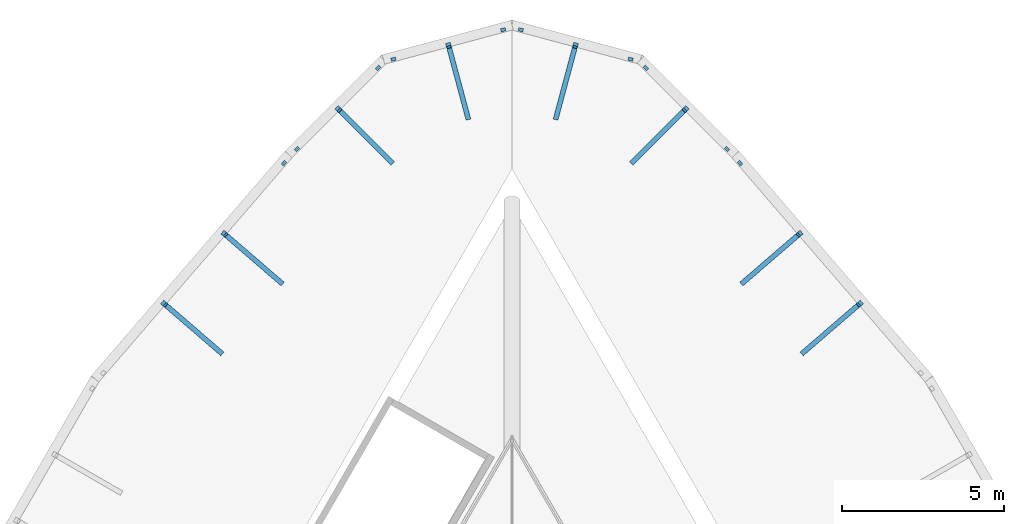
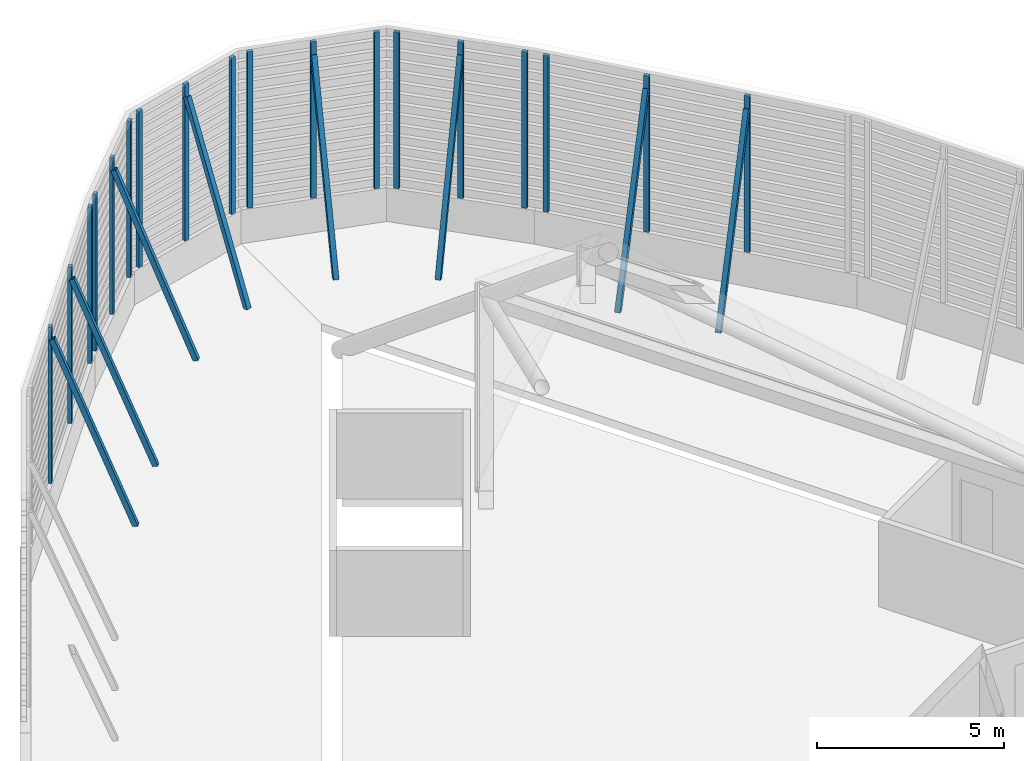
# One storey, part 5 of 6: 26 discrete accessories.
"""IFC4 building model written with IfcOpenShell, lengths in metres."""

import ifcopenshell
import ifcopenshell.guid

model = None  # the IFC model being written
_history = None  # IfcOwnerHistory: only IFC2X3 demands one
_inside = {}  # id of a spatial element -> (the spatial element, [elements in it])
_under = {}  # id of a project, library or spatial element -> (it, [spatial elements below it])
_declared = {}  # id of a project -> (the project, [libraries it declares])
_typed = {}  # id of a type object -> (the type object, [elements of that type])
_made_of = {}  # id of a material, layer set ... -> (it, [elements and type objects made of it])


def new_model(schema):
    """Start an empty IFC model of exactly this schema.

    Asked for "IFC4X3", IfcOpenShell would pick the latest addendum, in which some entities
    have other attributes; the version numbers below select the first issue.
    IFC2X3 requires an IfcOwnerHistory on every rooted entity: one is made here for all.
    """
    global model, _history
    if schema == "IFC4X3":
        model = ifcopenshell.file(schema_version=(4, 3, 0, 0))
    else:
        model = ifcopenshell.file(schema=schema)
    _inside.clear()
    _under.clear()
    _declared.clear()
    _typed.clear()
    _made_of.clear()
    _history = None
    if model.schema == "IFC2X3":
        org = make("IfcOrganization", Name="unknown")
        user = make(
            "IfcPersonAndOrganization",
            ThePerson=make("IfcPerson", FamilyName="unknown"),
            TheOrganization=org,
        )
        app = make(
            "IfcApplication",
            ApplicationDeveloper=org,
            Version="unknown",
            ApplicationFullName="unknown",
            ApplicationIdentifier="unknown",
        )
        _history = make(
            "IfcOwnerHistory",
            OwningUser=user,
            OwningApplication=app,
            ChangeAction="ADDED",
            CreationDate=0,
        )
    return model


def make(cls, **values):
    """One entity of the class cls with the attributes given. An attribute that is None is left unset."""
    return model.create_entity(
        cls, **{name: value for name, value in values.items() if value is not None}
    )


def rooted(cls, **values):
    """An entity with a GlobalId (a new one), such as an element, a storey or a relation."""
    return make(cls, GlobalId=ifcopenshell.guid.new(), OwnerHistory=_history, **values)


def si_unit(unit_type, name, prefix=None):
    """IfcSIUnit, for example si_unit("LENGTHUNIT", "METRE", prefix="MILLI")."""
    return make("IfcSIUnit", UnitType=unit_type, Prefix=prefix, Name=name)


def assignment(units):
    """IfcUnitAssignment: the units of a project."""
    return None if units is None else make("IfcUnitAssignment", Units=units)


def point(xyz):
    """IfcCartesianPoint."""
    return None if xyz is None else make("IfcCartesianPoint", Coordinates=xyz)


def direction(xyz):
    """IfcDirection."""
    return None if xyz is None else make("IfcDirection", DirectionRatios=xyz)


def frame(location, z_axis=None, x_axis=None):
    """IfcAxis2Placement3D, a coordinate frame: its origin and axes. An axis left out is left unset."""
    return make(
        "IfcAxis2Placement3D",
        Location=point(location),
        Axis=direction(z_axis),
        RefDirection=direction(x_axis),
    )


def frame_2d(location, x_axis=None):
    """IfcAxis2Placement2D, a coordinate frame in the plane: its origin and x axis."""
    return make(
        "IfcAxis2Placement2D", Location=point(location), RefDirection=direction(x_axis)
    )


def origin():
    """The frame at (0, 0, 0) with its axes left unset."""
    return frame((0.0, 0.0, 0.0))


def origin_2d():
    """The frame at (0, 0) in the plane with its x axis left unset."""
    return frame_2d((0.0, 0.0))


def place(relative_to, where):
    """IfcLocalPlacement: puts the frame where relative to a parent placement (None: the world)."""
    return make(
        "IfcLocalPlacement", PlacementRelTo=relative_to, RelativePlacement=where
    )


def context(
    kind, dimensions, precision=None, world=None, true_north=None, identifier=None
):
    """IfcGeometricRepresentationContext, for example the 3D "Model" context."""
    return make(
        "IfcGeometricRepresentationContext",
        ContextIdentifier=identifier,
        ContextType=kind,
        CoordinateSpaceDimension=dimensions,
        Precision=precision,
        WorldCoordinateSystem=world,
        TrueNorth=true_north,
    )


def subcontext(parent, identifier, kind, view, scale=None):
    """IfcGeometricRepresentationSubContext, for example "Body" below "Model"."""
    return make(
        "IfcGeometricRepresentationSubContext",
        ContextIdentifier=identifier,
        ContextType=kind,
        ParentContext=parent,
        TargetScale=scale,
        TargetView=view,
    )


def project(units=None, contexts=None):
    """IfcProject with its units and contexts."""
    return rooted(
        "IfcProject",
        Name="project",
        RepresentationContexts=contexts,
        UnitsInContext=assignment(units),
    )


def spatial(cls, under=None, at=None, **own):
    """A site, building, storey or space (cls), placed at a placement, below another one or the project."""
    s = rooted(cls, ObjectPlacement=at, **own)
    if under is not None:
        _under.setdefault(under.id(), (under, []))[1].append(s)
    return s


def profile(cls, at=None, kind="AREA", **sizes):
    """A parametric profile (cls). Its sizes go by their IFC names, for example OverallWidth=200.0."""
    return make(cls, ProfileType=kind, Position=at, **sizes)


def rectangle(**sizes):
    """IfcRectangleProfileDef."""
    return profile("IfcRectangleProfileDef", **sizes)


def hollow_rectangle(**sizes):
    """IfcRectangleHollowProfileDef."""
    return profile("IfcRectangleHollowProfileDef", **sizes)


def extrude(swept, where, along, depth):
    """IfcExtrudedAreaSolid: the profile swept, set in the frame where, extruded along a direction by depth."""
    return make(
        "IfcExtrudedAreaSolid",
        SweptArea=swept,
        Position=where,
        ExtrudedDirection=direction(along),
        Depth=depth,
    )


def shape(context_of_items, identifier, shape_type, items):
    """IfcShapeRepresentation: the items that make up one representation, for example the "Body"."""
    return make(
        "IfcShapeRepresentation",
        ContextOfItems=context_of_items,
        RepresentationIdentifier=identifier,
        RepresentationType=shape_type,
        Items=items,
    )


def material(Name=None, Category=None):
    """IfcMaterial."""
    return make("IfcMaterial", Name=Name, Category=Category)


def material_profile(
    of_material, cross_section, Name=None, Category=None, Priority=None
):
    """IfcMaterialProfile: a cross section and its material."""
    return make(
        "IfcMaterialProfile",
        Name=Name,
        Material=of_material,
        Profile=cross_section,
        Priority=Priority,
        Category=Category,
    )


def profile_set(profiles, Name=None, composite=None):
    """IfcMaterialProfileSet."""
    return make(
        "IfcMaterialProfileSet",
        Name=Name,
        MaterialProfiles=profiles,
        CompositeProfile=composite,
    )


def made_of(thing, what):
    """Note that an element or type object is made of a material, layer set ...; save() writes the relation."""
    if what is not None:
        _made_of.setdefault(what.id(), (what, []))[1].append(thing)
    return thing


def type_object(cls, material=None, **own):
    """A type object (cls), such as IfcWallType, which elements share."""
    return made_of(rooted(cls, **own), material)


def element(
    cls,
    number,
    at=None,
    inside=None,
    cuts=None,
    type_object=None,
    material=None,
    context=None,
    identifier="Body",
    shape_type=None,
    held_by="IfcProductDefinitionShape",
    body=None,
    shapes=None,
    **own,
):
    """One element of the class cls, such as IfcWall. Its Tag is "e" and its number.

    at: its placement. inside: the storey or other place that contains it. cuts: it is an
    opening in that element (IfcRelVoidsElement). A single representation is given by context,
    identifier, shape_type and body (its items); several are given by shapes. held_by: the class
    of the entity that holds the representations. save() writes the other relations.
    """
    e = rooted(cls, Tag="e%d" % number, ObjectPlacement=at, **own)
    if body is not None:
        shapes = [shape(context, identifier, shape_type, body)]
    if shapes is not None:
        e.Representation = make(held_by, Representations=shapes)
    if inside is not None:
        _inside.setdefault(inside.id(), (inside, []))[1].append(e)
    if cuts is not None:
        rooted(
            "IfcRelVoidsElement", RelatingBuildingElement=cuts, RelatedOpeningElement=e
        )
    if type_object is not None:
        _typed.setdefault(type_object.id(), (type_object, []))[1].append(e)
    return made_of(e, material)


def aggregate(whole, parts):
    """IfcRelAggregates: a whole, such as a stair, and the parts it consists of."""
    return rooted("IfcRelAggregates", RelatingObject=whole, RelatedObjects=parts)


def save(model, path):
    """Write the relations noted so far, then the file.

    IfcRelAggregates (storeys below a building ...), IfcRelContainedInSpatialStructure (elements
    in a storey), IfcRelDefinesByType, IfcRelAssociatesMaterial and IfcRelDeclares: one each for
    every whole, place, type object, material and project.
    """
    for whole, parts in _under.values():
        aggregate(whole, parts)
    for where, things in _inside.values():
        rooted(
            "IfcRelContainedInSpatialStructure",
            RelatedElements=things,
            RelatingStructure=where,
        )
    for kind, things in _typed.values():
        rooted("IfcRelDefinesByType", RelatedObjects=things, RelatingType=kind)
    for what, things in _made_of.values():
        rooted("IfcRelAssociatesMaterial", RelatedObjects=things, RelatingMaterial=what)
    for by, libraries in _declared.values():
        rooted("IfcRelDeclares", RelatingContext=by, RelatedDefinitions=libraries)
    model.write(path)


model = new_model("IFC4")

# Units and contexts
model_context = context("Model", 3, precision=1e-05, world=origin(), true_north=direction((0.0, 1.0)))
body_context = subcontext(model_context, "Body", "Model", "MODEL_VIEW")
ifc_project = project(units=[si_unit("LENGTHUNIT", "METRE"), si_unit("AREAUNIT", "SQUARE_METRE"), si_unit("VOLUMEUNIT", "CUBIC_METRE"), si_unit("PLANEANGLEUNIT", "RADIAN"), si_unit("MASSUNIT", "GRAM", prefix="KILO")], contexts=[model_context])

# Site, building, storey
site_placement = place(None, origin())
site = spatial("IfcSite", under=ifc_project, at=site_placement, CompositionType="ELEMENT")
building_placement = place(site_placement, origin())
building = spatial("IfcBuilding", under=site, at=building_placement, Name="Trikona Tower", CompositionType="ELEMENT")
storey_placement = place(building_placement, frame((0.0, 0.0, 303.800048828125)))
storey = spatial("IfcBuildingStorey", under=building, at=storey_placement, Name="RF", CompositionType="ELEMENT", Elevation=303.800048828125)

# Discrete accessories
ifc_material_1 = material(Name="Aluminium extrusion, pale anodised", Category="aluminium")
discrete_accessory_type_1 = type_object("IfcDiscreteAccessoryType", Name="Crown screen rail 150x100", PredefinedType="BRACKET", material=ifc_material_1)
for number, where, z_axis, x_axis, name in (
    (1, (-10.79931640625, 15.462158203125, 1.099853515625), (0.0, 0.0, 1.0), (0.653068478625, 0.757298859253, 0.0), "Crown screen rail 06-2"),
    (2, (-8.940673828125, 17.618896484375, 1.099853515625), (0.0, 0.0, 1.0), (0.653068478625, 0.757298859253, 0.0), "Crown screen rail 06-3"),
):
    element("IfcDiscreteAccessory", number, at=place(storey_placement, frame(where, z_axis=z_axis, x_axis=x_axis)), inside=storey, type_object=discrete_accessory_type_1, Name=name, PredefinedType="BRACKET", context=body_context, shape_type="SweptSolid", body=[
        extrude(rectangle(XDim=0.14990234375, YDim=0.10009765625, at=frame_2d((0.074951171875, 0.0))), origin(), (0.0, 0.0, 1.0), 5.10009765625),
    ])
discrete_accessory_1_placement = place(storey_placement, frame((-7.081787109375, 19.775390625, 1.099853515625), z_axis=(0.0, 0.0, 1.0), x_axis=(0.652263649461, 0.757992171194, 0.0)))
element("IfcDiscreteAccessory", 3, at=discrete_accessory_1_placement, inside=storey, type_object=discrete_accessory_type_1, Name="Crown screen rail 06-4", PredefinedType="BRACKET", context=body_context, shape_type="SweptSolid", body=[
    extrude(rectangle(XDim=0.150146484375, YDim=0.10009765625, at=frame_2d((0.0751953125, 0.0))), origin(), (0.0, 0.0, 1.0), 5.10009765625),
])
for number, where, z_axis, x_axis, name in (
    (4, (-6.681396484375, 20.21484375, 1.099853515625), (0.0, 0.0, 1.0), (0.70792001417, 0.706292611839, 0.0), "Crown screen rail 07-1"),
    (5, (-5.430419921875, 21.4658203125, 1.099853515625), (0.0, 0.0, 1.0), (0.707106781187, 0.707106781187, 0.0), "Crown screen rail 07-2"),
):
    element("IfcDiscreteAccessory", number, at=place(storey_placement, frame(where, z_axis=z_axis, x_axis=x_axis)), inside=storey, type_object=discrete_accessory_type_1, Name=name, PredefinedType="BRACKET", context=body_context, shape_type="SweptSolid", body=[
        extrude(rectangle(XDim=0.14990234375, YDim=0.10009765625, at=frame_2d((0.074951171875, 0.0))), origin(), (0.0, 0.0, 1.0), 5.10009765625),
    ])
for number, where, z_axis, x_axis, name in (
    (6, (-4.1796875, 22.716552734375, 1.099853515625), (0.0, 0.0, 1.0), (0.707106781187, 0.707106781187, 0.0), "Crown screen rail 07-3"),
    (7, (-3.728515625, 23.02197265625, 1.099853515625), (0.0, 0.0, 1.0), (0.965991585088, 0.258573505099, 0.0), "Crown screen rail 08-1"),
    (8, (-2.036376953125, 23.475341796875, 1.099853515625), (0.0, 0.0, 1.0), (0.965991585088, 0.258573505099, 0.0), "Crown screen rail 08-2"),
):
    element("IfcDiscreteAccessory", number, at=place(storey_placement, frame(where, z_axis=z_axis, x_axis=x_axis)), inside=storey, type_object=discrete_accessory_type_1, Name=name, PredefinedType="BRACKET", context=body_context, shape_type="SweptSolid", body=[
        extrude(rectangle(XDim=0.150146484375, YDim=0.10009765625, at=frame_2d((0.0751953125, 0.0))), origin(), (0.0, 0.0, 1.0), 5.10009765625),
    ])
for number, where, z_axis, x_axis, name in (
    (9, (-0.343994140625, 23.9287109375, 1.099853515625), (0.0, 0.0, 1.0), (0.965882596953, 0.258980325321, 0.0), "Crown screen rail 08-3"),
    (10, (0.19921875, 23.967529296875, 1.099853515625), (0.0, 0.0, 1.0), (0.965882596953, -0.258980325321, 0.0), "Crown screen rail 09-1"),
):
    element("IfcDiscreteAccessory", number, at=place(storey_placement, frame(where, z_axis=z_axis, x_axis=x_axis)), inside=storey, type_object=discrete_accessory_type_1, Name=name, PredefinedType="BRACKET", context=body_context, shape_type="SweptSolid", body=[
        extrude(rectangle(XDim=0.14990234375, YDim=0.10009765625, at=frame_2d((0.074951171875, 0.0))), origin(), (0.0, 0.0, 1.0), 5.10009765625),
    ])
for number, where, z_axis, x_axis, name in (
    (11, (1.891357421875, 23.51416015625, 1.099853515625), (0.0, 0.0, 1.0), (0.965991585088, -0.258573505099, 0.0), "Crown screen rail 09-2"),
    (12, (3.58349609375, 23.060791015625, 1.099853515625), (0.0, 0.0, 1.0), (0.965991585088, -0.258573505099, 0.0), "Crown screen rail 09-3"),
    (13, (4.073486328125, 22.82275390625, 1.099853515625), (0.0, 0.0, 1.0), (0.707106781187, -0.707106781187, 0.0), "Crown screen rail 10-1"),
):
    element("IfcDiscreteAccessory", number, at=place(storey_placement, frame(where, z_axis=z_axis, x_axis=x_axis)), inside=storey, type_object=discrete_accessory_type_1, Name=name, PredefinedType="BRACKET", context=body_context, shape_type="SweptSolid", body=[
        extrude(rectangle(XDim=0.150146484375, YDim=0.10009765625, at=frame_2d((0.0751953125, 0.0))), origin(), (0.0, 0.0, 1.0), 5.10009765625),
    ])
for number, where, z_axis, x_axis, name in (
    (14, (5.324462890625, 21.57177734375, 1.099853515625), (0.0, 0.0, 1.0), (0.707106781187, -0.707106781187, 0.0), "Crown screen rail 10-2"),
    (15, (6.5751953125, 20.32080078125, 1.099853515625), (0.0, 0.0, 1.0), (0.70792001417, -0.706292611839, 0.0), "Crown screen rail 10-3"),
):
    element("IfcDiscreteAccessory", number, at=place(storey_placement, frame(where, z_axis=z_axis, x_axis=x_axis)), inside=storey, type_object=discrete_accessory_type_1, Name=name, PredefinedType="BRACKET", context=body_context, shape_type="SweptSolid", body=[
        extrude(rectangle(XDim=0.14990234375, YDim=0.10009765625, at=frame_2d((0.074951171875, 0.0))), origin(), (0.0, 0.0, 1.0), 5.10009765625),
    ])
discrete_accessory_2_placement = place(storey_placement, frame((6.98388671875, 19.88916015625, 1.099853515625), z_axis=(0.0, 0.0, 1.0), x_axis=(0.652263649461, -0.757992171194, 0.0)))
element("IfcDiscreteAccessory", 16, at=discrete_accessory_2_placement, inside=storey, type_object=discrete_accessory_type_1, Name="Crown screen rail 11-1", PredefinedType="BRACKET", context=body_context, shape_type="SweptSolid", body=[
    extrude(rectangle(XDim=0.150146484375, YDim=0.10009765625, at=frame_2d((0.0751953125, 0.0))), origin(), (0.0, 0.0, 1.0), 5.10009765625),
])
for number, where, z_axis, x_axis, name in (
    (17, (8.8427734375, 17.732421875, 1.099853515625), (0.0, 0.0, 1.0), (0.653068478625, -0.757298859253, 0.0), "Crown screen rail 11-2"),
    (18, (10.701416015625, 15.57568359375, 1.099853515625), (0.0, 0.0, 1.0), (0.653068478625, -0.757298859253, 0.0), "Crown screen rail 11-3"),
):
    element("IfcDiscreteAccessory", number, at=place(storey_placement, frame(where, z_axis=z_axis, x_axis=x_axis)), inside=storey, type_object=discrete_accessory_type_1, Name=name, PredefinedType="BRACKET", context=body_context, shape_type="SweptSolid", body=[
        extrude(rectangle(XDim=0.14990234375, YDim=0.10009765625, at=frame_2d((0.074951171875, 0.0))), origin(), (0.0, 0.0, 1.0), 5.10009765625),
    ])
ifc_material_2 = material(Name="Steel ASTM A500 Grade C", Category="steel")
ifc_material_profile = material_profile(ifc_material_2, hollow_rectangle(XDim=0.15234375, YDim=0.15234375, WallThickness=0.0087890625, at=origin_2d()), Name="HSS6X6X3/8")
ifc_profile_set = profile_set([ifc_material_profile], Name="Steel ASTM A500 Grade C")
discrete_accessory_type_2 = type_object("IfcDiscreteAccessoryType", Name="Crown screen stay HSS6x6x3/8", PredefinedType="BRACKET", material=ifc_profile_set)
discrete_accessory_3_placement = place(storey_placement, frame((-8.985595703125, 13.997802734375, 0.0), z_axis=(-0.277085962366, 0.238850998522, 0.930684463159), x_axis=(-0.652914201137, -0.757431875454, 0.0)))
element("IfcDiscreteAccessory", 19, at=discrete_accessory_3_placement, inside=storey, type_object=discrete_accessory_type_2, Name="Crown screen stay 06-2", PredefinedType="BRACKET", context=body_context, shape_type="SweptSolid", body=[
    extrude(hollow_rectangle(XDim=0.15234375, YDim=0.15234375, WallThickness=0.0087890625, at=origin_2d()), origin(), (0.0, 0.0, 1.0), 6.23193359375),
])
for number, where, z_axis, x_axis, name in (
    (20, (-7.126708984375, 16.154296875, 0.0), (-0.277119536048, 0.238885345041, 0.930665651384), (-0.652922677422, -0.757424568725, 0.0), "Crown screen stay 06-3"),
    (21, (-3.72998046875, 19.87109375, 0.0), (-0.258671313716, 0.258710488532, 0.930676116908), (-0.707160319462, -0.707053238857, 0.0), "Crown screen stay 07-2"),
):
    element("IfcDiscreteAccessory", number, at=place(storey_placement, frame(where, z_axis=z_axis, x_axis=x_axis)), inside=storey, type_object=discrete_accessory_type_2, Name=name, PredefinedType="BRACKET", context=body_context, shape_type="SweptSolid", body=[
        extrude(hollow_rectangle(XDim=0.15234375, YDim=0.15234375, WallThickness=0.0087890625, at=origin_2d()), origin(), (0.0, 0.0, 1.0), 6.232177734375),
    ])
for number, where, z_axis, x_axis, name in (
    (22, (-1.36083984375, 21.244140625, 0.0), (-0.094686268058, 0.353359593662, 0.930683355502), (-0.965923195001, -0.258828865002, 0.0), "Crown screen stay 08-2"),
    (23, (1.36083984375, 21.244140625, 0.0), (0.094686268058, 0.353359593662, 0.930683355502), (-0.965923195001, 0.258828865002, 0.0), "Crown screen stay 09-2"),
):
    element("IfcDiscreteAccessory", number, at=place(storey_placement, frame(where, z_axis=z_axis, x_axis=x_axis)), inside=storey, type_object=discrete_accessory_type_2, Name=name, PredefinedType="BRACKET", context=body_context, shape_type="SweptSolid", body=[
        extrude(hollow_rectangle(XDim=0.15234375, YDim=0.15234375, WallThickness=0.0087890625, at=origin_2d()), origin(), (0.0, 0.0, 1.0), 6.23193359375),
    ])
for number, where, z_axis, x_axis, name in (
    (24, (3.72998046875, 19.87109375, 0.0), (0.258671313716, 0.258710488532, 0.930676116908), (-0.707160319462, 0.707053238857, 0.0), "Crown screen stay 10-2"),
    (25, (7.126708984375, 16.154296875, 0.0), (0.277119536048, 0.238885345041, 0.930665651384), (-0.652922677422, 0.757424568725, 0.0), "Crown screen stay 11-2"),
):
    element("IfcDiscreteAccessory", number, at=place(storey_placement, frame(where, z_axis=z_axis, x_axis=x_axis)), inside=storey, type_object=discrete_accessory_type_2, Name=name, PredefinedType="BRACKET", context=body_context, shape_type="SweptSolid", body=[
        extrude(hollow_rectangle(XDim=0.15234375, YDim=0.15234375, WallThickness=0.0087890625, at=origin_2d()), origin(), (0.0, 0.0, 1.0), 6.232177734375),
    ])
discrete_accessory_4_placement = place(storey_placement, frame((8.985595703125, 13.997802734375, 0.0), z_axis=(0.277085962366, 0.238850998522, 0.930684463159), x_axis=(-0.652914201137, 0.757431875454, 0.0)))
element("IfcDiscreteAccessory", 26, at=discrete_accessory_4_placement, inside=storey, type_object=discrete_accessory_type_2, Name="Crown screen stay 11-3", PredefinedType="BRACKET", context=body_context, shape_type="SweptSolid", body=[
    extrude(hollow_rectangle(XDim=0.15234375, YDim=0.15234375, WallThickness=0.0087890625, at=origin_2d()), origin(), (0.0, 0.0, 1.0), 6.23193359375),
])

save(model, "model.ifc")
